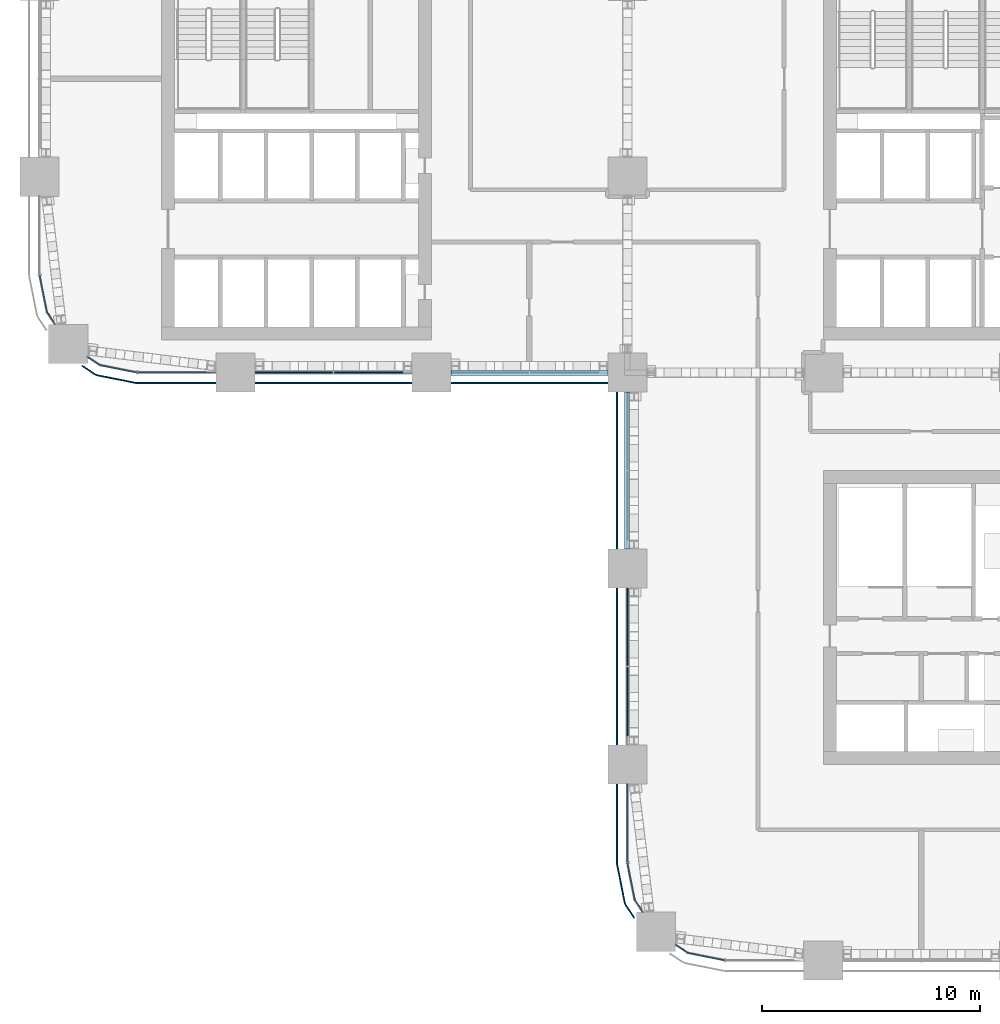
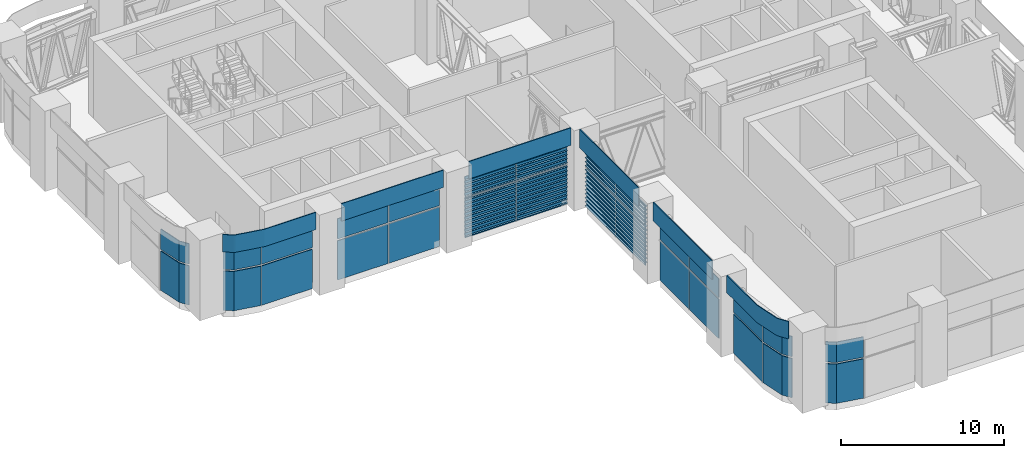
# One storey, part 10 of 24: 64 plates, 8 elements without a shape of their own.
"""IFC4 building model written with IfcOpenShell, lengths in metres."""

from ifc_helpers import new_model, si_unit, direction, frame, origin, origin_2d, place, context, subcontext, project, spatial, polyline, rectangle, outline, extrude, material, layer, layer_set, type_object, element, aggregate, save


model = new_model("IFC4")

# Units and contexts
model_context = context("Model", 3, precision=1e-05, world=origin(), true_north=direction((0.0, 1.0)))
body_context = subcontext(model_context, "Body", "Model", "MODEL_VIEW")
ifc_project = project(units=[si_unit("LENGTHUNIT", "METRE"), si_unit("AREAUNIT", "SQUARE_METRE"), si_unit("VOLUMEUNIT", "CUBIC_METRE"), si_unit("PLANEANGLEUNIT", "RADIAN"), si_unit("MASSUNIT", "GRAM", prefix="KILO")], contexts=[model_context])

# Site, building, storey
site_placement = place(None, origin())
site = spatial("IfcSite", under=ifc_project, at=site_placement, CompositionType="ELEMENT")
building_placement = place(site_placement, origin())
building = spatial("IfcBuilding", under=site, at=building_placement, Name="Tessera Arch", CompositionType="ELEMENT")
storey_placement = place(building_placement, frame((0.0, 0.0, 123.39990234375)))
storey = spatial("IfcBuildingStorey", under=building, at=storey_placement, Name="L29", CompositionType="ELEMENT", Elevation=123.39990234375)

# Curtain wall, plates
ifc_material_1 = material(Name="CW7 curtain wall")
curtain_wall_type = type_object("IfcCurtainWallType", Name="CW7 curtain wall", PredefinedType="NOTDEFINED", material=ifc_material_1)
curtain_wall_1_placement = place(storey_placement, origin())
curtain_wall_1 = element("IfcCurtainWall", 1, at=curtain_wall_1_placement, inside=storey, type_object=curtain_wall_type, Name="CW7 curtain wall W0.27/2 L29", PredefinedType="NOTDEFINED")
ifc_material_2 = material(Name="Pale anodised aluminium panel", Category="aluminium")
ifc_layer_1 = layer(ifc_material_2, 0.06005859375)
ifc_layer_set_1 = layer_set([ifc_layer_1], Name="CW7 plant wall panel")
plate_type_1 = type_object("IfcPlateType", Name="CW7 plant wall panel", PredefinedType="CURTAIN_PANEL", material=ifc_layer_set_1)
plate_1_placement = place(storey_placement, origin())
plate_1 = element("IfcPlate", 2, at=plate_1_placement, type_object=plate_type_1, Name="CW7 curved plant wall panel W0.27/2 2.1", PredefinedType="CURTAIN_PANEL", context=body_context, shape_type="SweptSolid", body=[
    extrude(outline(polyline([(0.370849609375, 29.78955078125), (0.03515625, 31.476318359375), (-0.023681640625, 31.46484375), (0.314208984375, 29.76611328125), (0.691650390625, 29.201416015625), (0.74169921875, 29.234619140625), (0.370849609375, 29.78955078125)])), origin(), (0.0, 0.0, 1.0), 2.940185546875),
])
plate_2_placement = place(storey_placement, frame((0.0, 0.0, 3.06005859375)))
plate_2 = element("IfcPlate", 3, at=plate_2_placement, type_object=plate_type_1, Name="CW7 curved plant wall panel W0.27/2 2.2", PredefinedType="CURTAIN_PANEL", context=body_context, shape_type="SweptSolid", body=[
    extrude(outline(polyline([(0.370849609375, 29.78955078125), (0.03515625, 31.476318359375), (-0.023681640625, 31.46484375), (0.314208984375, 29.76611328125), (0.691650390625, 29.201416015625), (0.74169921875, 29.234619140625), (0.370849609375, 29.78955078125)])), origin(), (0.0, 0.0, 1.0), 1.52001953125),
])
aggregate(curtain_wall_1, [plate_1, plate_2])

curtain_wall_2_placement = place(storey_placement, origin())
curtain_wall_2 = element("IfcCurtainWall", 4, at=curtain_wall_2_placement, inside=storey, type_object=curtain_wall_type, Name="CW7 curtain wall S27.0/0 L29", PredefinedType="NOTDEFINED")
plate_3_placement = place(storey_placement, frame((6.31494140625, 27.0, 0.000244140625), z_axis=(0.0, 0.0, 1.0), x_axis=(1.0, 0.0, 0.0)))
plate_3 = element("IfcPlate", 5, at=plate_3_placement, type_object=plate_type_1, Name="CW7 plant wall panel S27.0/0 1.1", PredefinedType="CURTAIN_PANEL", context=body_context, shape_type="SweptSolid", body=[
    extrude(rectangle(XDim=3.570068359375, YDim=0.06005859375, at=origin_2d()), origin(), (0.0, 0.0, 1.0), 2.93994140625),
])
plate_4_placement = place(storey_placement, origin())
plate_4 = element("IfcPlate", 6, at=plate_4_placement, type_object=plate_type_1, Name="CW7 curved plant wall panel S27.0/0 2.1", PredefinedType="CURTAIN_PANEL", context=body_context, shape_type="SweptSolid", body=[
    extrude(outline(polyline([(2.78955078125, 27.370849609375), (2.234619140625, 27.74169921875), (2.201416015625, 27.691650390625), (2.76611328125, 27.314208984375), (4.46484375, 26.976318359375), (4.476318359375, 27.03515625), (2.78955078125, 27.370849609375)])), origin(), (0.0, 0.0, 1.0), 2.940185546875),
])
plate_5_placement = place(storey_placement, frame((6.31494140625, 27.0, 3.06005859375), z_axis=(0.0, 0.0, 1.0), x_axis=(1.0, 0.0, 0.0)))
plate_5 = element("IfcPlate", 7, at=plate_5_placement, type_object=plate_type_1, Name="CW7 plant wall panel S27.0/0 1.2", PredefinedType="CURTAIN_PANEL", context=body_context, shape_type="SweptSolid", body=[
    extrude(rectangle(XDim=3.570068359375, YDim=0.06005859375, at=origin_2d()), origin(), (0.0, 0.0, 1.0), 1.52001953125),
])
plate_6_placement = place(storey_placement, frame((0.0, 0.0, 3.06005859375)))
plate_6 = element("IfcPlate", 8, at=plate_6_placement, type_object=plate_type_1, Name="CW7 curved plant wall panel S27.0/0 2.2", PredefinedType="CURTAIN_PANEL", context=body_context, shape_type="SweptSolid", body=[
    extrude(outline(polyline([(2.78955078125, 27.370849609375), (2.234619140625, 27.74169921875), (2.201416015625, 27.691650390625), (2.76611328125, 27.314208984375), (4.46484375, 26.976318359375), (4.476318359375, 27.03515625), (2.78955078125, 27.370849609375)])), origin(), (0.0, 0.0, 1.0), 1.52001953125),
])

curtain_wall_3_placement = place(storey_placement, origin())
curtain_wall_3 = element("IfcCurtainWall", 9, at=curtain_wall_3_placement, inside=storey, type_object=curtain_wall_type, Name="CW7 curtain wall S27.0/1 L29", PredefinedType="NOTDEFINED")
plate_7_placement = place(storey_placement, frame((11.68505859375, 27.0, 0.000244140625), z_axis=(0.0, 0.0, 1.0), x_axis=(1.0, 0.0, 0.0)))
plate_7 = element("IfcPlate", 10, at=plate_7_placement, type_object=plate_type_1, Name="CW7 plant wall panel S27.0/1 1.1.1", PredefinedType="CURTAIN_PANEL", context=body_context, shape_type="SweptSolid", body=[
    extrude(rectangle(XDim=3.570068359375, YDim=0.06005859375, at=origin_2d()), origin(), (0.0, 0.0, 1.0), 2.93994140625),
])
plate_8_placement = place(storey_placement, frame((11.68505859375, 27.0, 3.06005859375), z_axis=(0.0, 0.0, 1.0), x_axis=(1.0, 0.0, 0.0)))
plate_8 = element("IfcPlate", 11, at=plate_8_placement, type_object=plate_type_1, Name="CW7 plant wall panel S27.0/1 1.1.2", PredefinedType="CURTAIN_PANEL", context=body_context, shape_type="SweptSolid", body=[
    extrude(rectangle(XDim=3.570068359375, YDim=0.06005859375, at=origin_2d()), origin(), (0.0, 0.0, 1.0), 1.52001953125),
])
plate_9_placement = place(storey_placement, frame((15.31494140625, 27.0, 0.000244140625), z_axis=(0.0, 0.0, 1.0), x_axis=(1.0, 0.0, 0.0)))
plate_9 = element("IfcPlate", 12, at=plate_9_placement, type_object=plate_type_1, Name="CW7 plant wall panel S27.0/1 1.2.1", PredefinedType="CURTAIN_PANEL", context=body_context, shape_type="SweptSolid", body=[
    extrude(rectangle(XDim=3.570068359375, YDim=0.06005859375, at=origin_2d()), origin(), (0.0, 0.0, 1.0), 2.93994140625),
])
plate_10_placement = place(storey_placement, frame((15.31494140625, 27.0, 3.06005859375), z_axis=(0.0, 0.0, 1.0), x_axis=(1.0, 0.0, 0.0)))
plate_10 = element("IfcPlate", 13, at=plate_10_placement, type_object=plate_type_1, Name="CW7 plant wall panel S27.0/1 1.2.2", PredefinedType="CURTAIN_PANEL", context=body_context, shape_type="SweptSolid", body=[
    extrude(rectangle(XDim=3.570068359375, YDim=0.06005859375, at=origin_2d()), origin(), (0.0, 0.0, 1.0), 1.52001953125),
])

curtain_wall_4_placement = place(storey_placement, origin())
curtain_wall_4 = element("IfcCurtainWall", 14, at=curtain_wall_4_placement, inside=storey, type_object=curtain_wall_type, Name="CW7 curtain wall S27.0/2 L29", PredefinedType="NOTDEFINED")
plate_11_placement = place(storey_placement, frame((20.68505859375, 27.0, 0.000244140625), z_axis=(0.0, 0.0, 1.0), x_axis=(1.0, 0.0, 0.0)))
plate_11 = element("IfcPlate", 15, at=plate_11_placement, type_object=plate_type_1, Name="CW7 plant wall panel S27.0/2 1.1.1", PredefinedType="CURTAIN_PANEL", context=body_context, shape_type="SweptSolid", body=[
    extrude(rectangle(XDim=3.570068359375, YDim=0.06005859375, at=origin_2d()), origin(), (0.0, 0.0, 1.0), 2.93994140625),
])
plate_12_placement = place(storey_placement, frame((20.68505859375, 27.0, 3.06005859375), z_axis=(0.0, 0.0, 1.0), x_axis=(1.0, 0.0, 0.0)))
plate_12 = element("IfcPlate", 16, at=plate_12_placement, type_object=plate_type_1, Name="CW7 plant wall panel S27.0/2 1.1.2", PredefinedType="CURTAIN_PANEL", context=body_context, shape_type="SweptSolid", body=[
    extrude(rectangle(XDim=3.570068359375, YDim=0.06005859375, at=origin_2d()), origin(), (0.0, 0.0, 1.0), 1.52001953125),
])
plate_13_placement = place(storey_placement, frame((24.31494140625, 27.0, 0.000244140625), z_axis=(0.0, 0.0, 1.0), x_axis=(1.0, 0.0, 0.0)))
plate_13 = element("IfcPlate", 17, at=plate_13_placement, type_object=plate_type_1, Name="CW7 plant wall panel S27.0/2 1.2.1", PredefinedType="CURTAIN_PANEL", context=body_context, shape_type="SweptSolid", body=[
    extrude(rectangle(XDim=3.570068359375, YDim=0.06005859375, at=origin_2d()), origin(), (0.0, 0.0, 1.0), 2.93994140625),
])
plate_14_placement = place(storey_placement, frame((24.31494140625, 27.0, 3.06005859375), z_axis=(0.0, 0.0, 1.0), x_axis=(1.0, 0.0, 0.0)))
plate_14 = element("IfcPlate", 18, at=plate_14_placement, type_object=plate_type_1, Name="CW7 plant wall panel S27.0/2 1.2.2", PredefinedType="CURTAIN_PANEL", context=body_context, shape_type="SweptSolid", body=[
    extrude(rectangle(XDim=3.570068359375, YDim=0.06005859375, at=origin_2d()), origin(), (0.0, 0.0, 1.0), 1.52001953125),
])

curtain_wall_5_placement = place(storey_placement, origin())
curtain_wall_5 = element("IfcCurtainWall", 19, at=curtain_wall_5_placement, inside=storey, type_object=curtain_wall_type, Name="CW7 curtain wall W27.0/0 L29", PredefinedType="NOTDEFINED")
plate_15_placement = place(storey_placement, frame((27.0, 24.31494140625, 0.000244140625), z_axis=(0.0, 0.0, 1.0), x_axis=(0.0, -1.0, 0.0)))
plate_15 = element("IfcPlate", 20, at=plate_15_placement, type_object=plate_type_1, Name="CW7 plant wall panel W27.0/0 1.1.1", PredefinedType="CURTAIN_PANEL", context=body_context, shape_type="SweptSolid", body=[
    extrude(rectangle(XDim=3.570068359375, YDim=0.06005859375, at=origin_2d()), origin(), (0.0, 0.0, 1.0), 2.93994140625),
])
plate_16_placement = place(storey_placement, frame((27.0, 24.31494140625, 3.06005859375), z_axis=(0.0, 0.0, 1.0), x_axis=(0.0, -1.0, 0.0)))
plate_16 = element("IfcPlate", 21, at=plate_16_placement, type_object=plate_type_1, Name="CW7 plant wall panel W27.0/0 1.1.2", PredefinedType="CURTAIN_PANEL", context=body_context, shape_type="SweptSolid", body=[
    extrude(rectangle(XDim=3.570068359375, YDim=0.06005859375, at=origin_2d()), origin(), (0.0, 0.0, 1.0), 1.409912109375),
])
plate_17_placement = place(storey_placement, frame((27.0, 20.68505859375, 0.000244140625), z_axis=(0.0, 0.0, 1.0), x_axis=(0.0, -1.0, 0.0)))
plate_17 = element("IfcPlate", 22, at=plate_17_placement, type_object=plate_type_1, Name="CW7 plant wall panel W27.0/0 1.2.1", PredefinedType="CURTAIN_PANEL", context=body_context, shape_type="SweptSolid", body=[
    extrude(rectangle(XDim=3.570068359375, YDim=0.06005859375, at=origin_2d()), origin(), (0.0, 0.0, 1.0), 2.93994140625),
])
plate_18_placement = place(storey_placement, frame((27.0, 20.68505859375, 3.06005859375), z_axis=(0.0, 0.0, 1.0), x_axis=(0.0, -1.0, 0.0)))
plate_18 = element("IfcPlate", 23, at=plate_18_placement, type_object=plate_type_1, Name="CW7 plant wall panel W27.0/0 1.2.2", PredefinedType="CURTAIN_PANEL", context=body_context, shape_type="SweptSolid", body=[
    extrude(rectangle(XDim=3.570068359375, YDim=0.06005859375, at=origin_2d()), origin(), (0.0, 0.0, 1.0), 1.409912109375),
])

curtain_wall_6_placement = place(storey_placement, origin())
curtain_wall_6 = element("IfcCurtainWall", 24, at=curtain_wall_6_placement, inside=storey, type_object=curtain_wall_type, Name="CW7 curtain wall W27.0/1 L29", PredefinedType="NOTDEFINED")
plate_19_placement = place(storey_placement, frame((27.0, 15.31494140625, 0.000244140625), z_axis=(0.0, 0.0, 1.0), x_axis=(0.0, -1.0, 0.0)))
plate_19 = element("IfcPlate", 25, at=plate_19_placement, type_object=plate_type_1, Name="CW7 plant wall panel W27.0/1 1.1.1", PredefinedType="CURTAIN_PANEL", context=body_context, shape_type="SweptSolid", body=[
    extrude(rectangle(XDim=3.570068359375, YDim=0.06005859375, at=origin_2d()), origin(), (0.0, 0.0, 1.0), 2.93994140625),
])
plate_20_placement = place(storey_placement, frame((27.0, 15.31494140625, 3.06005859375), z_axis=(0.0, 0.0, 1.0), x_axis=(0.0, -1.0, 0.0)))
plate_20 = element("IfcPlate", 26, at=plate_20_placement, type_object=plate_type_1, Name="CW7 plant wall panel W27.0/1 1.1.2", PredefinedType="CURTAIN_PANEL", context=body_context, shape_type="SweptSolid", body=[
    extrude(rectangle(XDim=3.570068359375, YDim=0.06005859375, at=origin_2d()), origin(), (0.0, 0.0, 1.0), 1.409912109375),
])
plate_21_placement = place(storey_placement, frame((27.0, 11.68505859375, 0.000244140625), z_axis=(0.0, 0.0, 1.0), x_axis=(0.0, -1.0, 0.0)))
plate_21 = element("IfcPlate", 27, at=plate_21_placement, type_object=plate_type_1, Name="CW7 plant wall panel W27.0/1 1.2.1", PredefinedType="CURTAIN_PANEL", context=body_context, shape_type="SweptSolid", body=[
    extrude(rectangle(XDim=3.570068359375, YDim=0.06005859375, at=origin_2d()), origin(), (0.0, 0.0, 1.0), 2.93994140625),
])
plate_22_placement = place(storey_placement, frame((27.0, 11.68505859375, 3.06005859375), z_axis=(0.0, 0.0, 1.0), x_axis=(0.0, -1.0, 0.0)))
plate_22 = element("IfcPlate", 28, at=plate_22_placement, type_object=plate_type_1, Name="CW7 plant wall panel W27.0/1 1.2.2", PredefinedType="CURTAIN_PANEL", context=body_context, shape_type="SweptSolid", body=[
    extrude(rectangle(XDim=3.570068359375, YDim=0.06005859375, at=origin_2d()), origin(), (0.0, 0.0, 1.0), 1.409912109375),
])

curtain_wall_7_placement = place(storey_placement, origin())
curtain_wall_7 = element("IfcCurtainWall", 29, at=curtain_wall_7_placement, inside=storey, type_object=curtain_wall_type, Name="CW7 curtain wall W27.0/2 L29", PredefinedType="NOTDEFINED")
plate_23_placement = place(storey_placement, frame((27.0, 6.31494140625, 0.000244140625), z_axis=(0.0, 0.0, 1.0), x_axis=(0.0, -1.0, 0.0)))
plate_23 = element("IfcPlate", 30, at=plate_23_placement, type_object=plate_type_1, Name="CW7 plant wall panel W27.0/2 1.1", PredefinedType="CURTAIN_PANEL", context=body_context, shape_type="SweptSolid", body=[
    extrude(rectangle(XDim=3.570068359375, YDim=0.06005859375, at=origin_2d()), origin(), (0.0, 0.0, 1.0), 2.93994140625),
])
plate_24_placement = place(storey_placement, origin())
plate_24 = element("IfcPlate", 31, at=plate_24_placement, type_object=plate_type_1, Name="CW7 curved plant wall panel W27.0/2 2.1", PredefinedType="CURTAIN_PANEL", context=body_context, shape_type="SweptSolid", body=[
    extrude(outline(polyline([(27.370849609375, 2.78955078125), (27.03515625, 4.476318359375), (26.976318359375, 4.46484375), (27.314208984375, 2.76611328125), (27.691650390625, 2.201416015625), (27.74169921875, 2.234619140625), (27.370849609375, 2.78955078125)])), origin(), (0.0, 0.0, 1.0), 2.940185546875),
])
plate_25_placement = place(storey_placement, frame((27.0, 6.31494140625, 3.06005859375), z_axis=(0.0, 0.0, 1.0), x_axis=(0.0, -1.0, 0.0)))
plate_25 = element("IfcPlate", 32, at=plate_25_placement, type_object=plate_type_1, Name="CW7 plant wall panel W27.0/2 1.2", PredefinedType="CURTAIN_PANEL", context=body_context, shape_type="SweptSolid", body=[
    extrude(rectangle(XDim=3.570068359375, YDim=0.06005859375, at=origin_2d()), origin(), (0.0, 0.0, 1.0), 1.52001953125),
])
plate_26_placement = place(storey_placement, frame((0.0, 0.0, 3.06005859375)))
plate_26 = element("IfcPlate", 33, at=plate_26_placement, type_object=plate_type_1, Name="CW7 curved plant wall panel W27.0/2 2.2", PredefinedType="CURTAIN_PANEL", context=body_context, shape_type="SweptSolid", body=[
    extrude(outline(polyline([(27.370849609375, 2.78955078125), (27.03515625, 4.476318359375), (26.976318359375, 4.46484375), (27.314208984375, 2.76611328125), (27.691650390625, 2.201416015625), (27.74169921875, 2.234619140625), (27.370849609375, 2.78955078125)])), origin(), (0.0, 0.0, 1.0), 1.52001953125),
])

curtain_wall_8_placement = place(storey_placement, origin())
curtain_wall_8 = element("IfcCurtainWall", 34, at=curtain_wall_8_placement, inside=storey, type_object=curtain_wall_type, Name="CW7 curtain wall S0.27/0 L29", PredefinedType="NOTDEFINED")
plate_27_placement = place(storey_placement, origin())
plate_27 = element("IfcPlate", 35, at=plate_27_placement, type_object=plate_type_1, Name="CW7 curved plant wall panel S0.27/0 2.1", PredefinedType="CURTAIN_PANEL", context=body_context, shape_type="SweptSolid", body=[
    extrude(outline(polyline([(29.78955078125, 0.370849609375), (29.234619140625, 0.74169921875), (29.201416015625, 0.691650390625), (29.76611328125, 0.314208984375), (31.46484375, -0.023681640625), (31.476318359375, 0.03515625), (29.78955078125, 0.370849609375)])), origin(), (0.0, 0.0, 1.0), 2.940185546875),
])
plate_28_placement = place(storey_placement, frame((0.0, 0.0, 3.06005859375)))
plate_28 = element("IfcPlate", 36, at=plate_28_placement, type_object=plate_type_1, Name="CW7 curved plant wall panel S0.27/0 2.2", PredefinedType="CURTAIN_PANEL", context=body_context, shape_type="SweptSolid", body=[
    extrude(outline(polyline([(29.78955078125, 0.370849609375), (29.234619140625, 0.74169921875), (29.201416015625, 0.691650390625), (29.76611328125, 0.314208984375), (31.46484375, -0.023681640625), (31.476318359375, 0.03515625), (29.78955078125, 0.370849609375)])), origin(), (0.0, 0.0, 1.0), 1.52001953125),
])
aggregate(curtain_wall_8, [plate_27, plate_28])

# Plate
ifc_material_3 = material(Name="Pale anodised aluminium panel", Category="aluminium")
ifc_layer_2 = layer(ifc_material_3, 0.06005859375)
ifc_layer_set_2 = layer_set([ifc_layer_2], Name="CW7 spandrel panel")
plate_type_2 = type_object("IfcPlateType", Name="CW7 spandrel panel", PredefinedType="CURTAIN_PANEL", material=ifc_layer_set_2)
plate_29_placement = place(storey_placement, frame((0.0, 0.0, 4.7001953125)))
plate_29 = element("IfcPlate", 37, at=plate_29_placement, type_object=plate_type_2, Name="CW7 spandrel panel S27.0/0", PredefinedType="CURTAIN_PANEL", context=body_context, shape_type="SweptSolid", body=[
    extrude(outline(polyline([(2.52734375, 26.96875), (1.968017578125, 27.342529296875), (1.9345703125, 27.292724609375), (2.4951171875, 26.91796875), (2.537353515625, 26.892822265625), (2.582763671875, 26.871337890625), (2.6298828125, 26.8544921875), (2.677734375, 26.842529296875), (4.401123046875, 26.499755859375), (4.449951171875, 26.492431640625), (4.499267578125, 26.489990234375), (8.10009765625, 26.489990234375), (8.10009765625, 26.550048828125), (4.500732421875, 26.550048828125), (4.455810546875, 26.55224609375), (4.411376953125, 26.558837890625), (2.69091796875, 26.90087890625), (2.647216796875, 26.911865234375), (2.605712890625, 26.9267578125), (2.565673828125, 26.94580078125), (2.52734375, 26.96875)])), origin(), (0.0, 0.0, 1.0), 1.2998046875),
])

aggregate(curtain_wall_2, [plate_3, plate_4, plate_5, plate_6, plate_29])

plate_30_placement = place(storey_placement, frame((13.5, 26.52001953125, 4.7001953125), z_axis=(0.0, 0.0, 1.0), x_axis=(1.0, 0.0, 0.0)))
plate_30 = element("IfcPlate", 38, at=plate_30_placement, type_object=plate_type_2, Name="CW7 spandrel panel S27.0/1", PredefinedType="CURTAIN_PANEL", context=body_context, shape_type="SweptSolid", body=[
    extrude(rectangle(XDim=7.199951171875, YDim=0.06005859375, at=origin_2d()), origin(), (0.0, 0.0, 1.0), 1.300048828125),
])

aggregate(curtain_wall_3, [plate_7, plate_8, plate_9, plate_10, plate_30])

plate_31_placement = place(storey_placement, frame((22.5, 26.52001953125, 4.7001953125), z_axis=(0.0, 0.0, 1.0), x_axis=(1.0, 0.0, 0.0)))
plate_31 = element("IfcPlate", 39, at=plate_31_placement, type_object=plate_type_2, Name="CW7 spandrel panel S27.0/2", PredefinedType="CURTAIN_PANEL", context=body_context, shape_type="SweptSolid", body=[
    extrude(rectangle(XDim=7.199951171875, YDim=0.06005859375, at=origin_2d()), origin(), (0.0, 0.0, 1.0), 1.300048828125),
])

aggregate(curtain_wall_4, [plate_11, plate_12, plate_13, plate_14, plate_31])

plate_32_placement = place(storey_placement, frame((26.52001953125, 22.5, 4.59033203125), z_axis=(0.0, 0.0, 1.0), x_axis=(0.0, -1.0, 0.0)))
plate_32 = element("IfcPlate", 40, at=plate_32_placement, type_object=plate_type_2, Name="CW7 spandrel panel W27.0/0", PredefinedType="CURTAIN_PANEL", context=body_context, shape_type="SweptSolid", body=[
    extrude(rectangle(XDim=7.199951171875, YDim=0.06005859375, at=origin_2d()), origin(), (0.0, 0.0, 1.0), 1.409912109375),
])

aggregate(curtain_wall_5, [plate_15, plate_16, plate_17, plate_18, plate_32])

plate_33_placement = place(storey_placement, frame((26.52001953125, 13.5, 4.59033203125), z_axis=(0.0, 0.0, 1.0), x_axis=(0.0, -1.0, 0.0)))
plate_33 = element("IfcPlate", 41, at=plate_33_placement, type_object=plate_type_2, Name="CW7 spandrel panel W27.0/1", PredefinedType="CURTAIN_PANEL", context=body_context, shape_type="SweptSolid", body=[
    extrude(rectangle(XDim=7.199951171875, YDim=0.06005859375, at=origin_2d()), origin(), (0.0, 0.0, 1.0), 1.409912109375),
])

aggregate(curtain_wall_6, [plate_19, plate_20, plate_21, plate_22, plate_33])

plate_34_placement = place(storey_placement, frame((0.0, 0.0, 4.7001953125)))
plate_34 = element("IfcPlate", 42, at=plate_34_placement, type_object=plate_type_2, Name="CW7 spandrel panel W27.0/2", PredefinedType="CURTAIN_PANEL", context=body_context, shape_type="SweptSolid", body=[
    extrude(outline(polyline([(26.550048828125, 4.500732421875), (26.550048828125, 8.10009765625), (26.489990234375, 8.10009765625), (26.489990234375, 4.499267578125), (26.492431640625, 4.449951171875), (26.499755859375, 4.401123046875), (26.842529296875, 2.677734375), (26.8544921875, 2.6298828125), (26.871337890625, 2.582763671875), (26.892822265625, 2.537353515625), (26.91796875, 2.4951171875), (27.292724609375, 1.9345703125), (27.342529296875, 1.968017578125), (26.96875, 2.52734375), (26.94580078125, 2.565673828125), (26.9267578125, 2.605712890625), (26.911865234375, 2.647216796875), (26.90087890625, 2.69091796875), (26.558837890625, 4.411376953125), (26.55224609375, 4.455810546875), (26.550048828125, 4.500732421875)])), origin(), (0.0, 0.0, 1.0), 1.2998046875),
])

aggregate(curtain_wall_7, [plate_23, plate_24, plate_25, plate_26, plate_34])

# Plates
ifc_material_4 = material(Name="Aluminium louvre pale metal anodised", Category="aluminium")
ifc_layer_3 = layer(ifc_material_4, 0.02001953125)
ifc_layer_set_3 = layer_set([ifc_layer_3], Name="Plant louvre blade")
plate_type_3 = type_object("IfcPlateType", Name="Plant louvre blade", PredefinedType="USERDEFINED", material=ifc_layer_set_3)
plate_35_placement = place(storey_placement, frame((18.89990234375, 26.875, 0.150146484375), z_axis=(0.0, -0.269874067237, 0.962895626656), x_axis=(1.0, 0.0, 0.0)))
element("IfcPlate", 43, at=plate_35_placement, inside=storey, type_object=plate_type_3, Name="Louvre blade S27.0/2 1", ObjectType="LOUVER", PredefinedType="USERDEFINED", context=body_context, shape_type="SweptSolid", body=[
    extrude(outline(polyline([(0.0, 0.0), (7.2001953125, 0.0), (7.2001953125, 0.25963353979311715), (0.0, 0.25963353979311715), (0.0, 0.0)])), origin(), (0.0, 0.0, -1.0), 0.02001953125),
])
plate_36_placement = place(storey_placement, frame((18.89990234375, 26.875, 0.4501953125), z_axis=(0.0, -0.269001893813, 0.963139647779), x_axis=(1.0, 0.0, 0.0)))
element("IfcPlate", 44, at=plate_36_placement, inside=storey, type_object=plate_type_3, Name="Louvre blade S27.0/2 2", ObjectType="LOUVER", PredefinedType="USERDEFINED", context=body_context, shape_type="SweptSolid", body=[
    extrude(outline(polyline([(0.0, 0.0), (7.2001953125, 0.0), (7.2001953125, 0.25956775902266416), (0.0, 0.25956775902266416), (0.0, 0.0)])), origin(), (0.0, 0.0, -1.0), 0.02001953125),
])
for number, where, z_axis, x_axis, name in (
    (45, (18.89990234375, 26.875, 0.75), (0.0, -0.269874067237, 0.962895626656), (1.0, 0.0, 0.0), "Louvre blade S27.0/2 3"),
    (46, (18.89990234375, 26.875, 1.050048828125), (0.0, -0.269874067237, 0.962895626656), (1.0, 0.0, 0.0), "Louvre blade S27.0/2 4"),
    (47, (18.89990234375, 26.875, 1.35009765625), (0.0, -0.269874067237, 0.962895626656), (1.0, 0.0, 0.0), "Louvre blade S27.0/2 5"),
    (48, (18.89990234375, 26.875, 1.650146484375), (0.0, -0.269874067237, 0.962895626656), (1.0, 0.0, 0.0), "Louvre blade S27.0/2 6"),
):
    element("IfcPlate", number, at=place(storey_placement, frame(where, z_axis=z_axis, x_axis=x_axis)), inside=storey, type_object=plate_type_3, Name=name, ObjectType="LOUVER", PredefinedType="USERDEFINED", context=body_context, shape_type="SweptSolid", body=[
        extrude(outline(polyline([(0.0, 0.0), (7.2001953125, 0.0), (7.2001953125, 0.25963353979311715), (0.0, 0.25963353979311715), (0.0, 0.0)])), origin(), (0.0, 0.0, -1.0), 0.02001953125),
    ])
plate_37_placement = place(storey_placement, frame((18.89990234375, 26.875, 1.9501953125), z_axis=(0.0, -0.269001893813, 0.963139647779), x_axis=(1.0, 0.0, 0.0)))
element("IfcPlate", 49, at=plate_37_placement, inside=storey, type_object=plate_type_3, Name="Louvre blade S27.0/2 7", ObjectType="LOUVER", PredefinedType="USERDEFINED", context=body_context, shape_type="SweptSolid", body=[
    extrude(outline(polyline([(0.0, 0.0), (7.2001953125, 0.0), (7.2001953125, 0.25956775902266416), (0.0, 0.25956775902266416), (0.0, 0.0)])), origin(), (0.0, 0.0, -1.0), 0.02001953125),
])
for number, where, z_axis, x_axis, name in (
    (50, (18.89990234375, 26.875, 2.25), (0.0, -0.269874067237, 0.962895626656), (1.0, 0.0, 0.0), "Louvre blade S27.0/2 8"),
    (51, (18.89990234375, 26.875, 2.550048828125), (0.0, -0.269874067237, 0.962895626656), (1.0, 0.0, 0.0), "Louvre blade S27.0/2 9"),
    (52, (18.89990234375, 26.875, 2.85009765625), (0.0, -0.269874067237, 0.962895626656), (1.0, 0.0, 0.0), "Louvre blade S27.0/2 10"),
    (53, (18.89990234375, 26.875, 3.150146484375), (0.0, -0.269874067237, 0.962895626656), (1.0, 0.0, 0.0), "Louvre blade S27.0/2 11"),
):
    element("IfcPlate", number, at=place(storey_placement, frame(where, z_axis=z_axis, x_axis=x_axis)), inside=storey, type_object=plate_type_3, Name=name, ObjectType="LOUVER", PredefinedType="USERDEFINED", context=body_context, shape_type="SweptSolid", body=[
        extrude(outline(polyline([(0.0, 0.0), (7.2001953125, 0.0), (7.2001953125, 0.25963353979311715), (0.0, 0.25963353979311715), (0.0, 0.0)])), origin(), (0.0, 0.0, -1.0), 0.02001953125),
    ])
plate_38_placement = place(storey_placement, frame((18.89990234375, 26.875, 3.4501953125), z_axis=(0.0, -0.269001893813, 0.963139647779), x_axis=(1.0, 0.0, 0.0)))
element("IfcPlate", 54, at=plate_38_placement, inside=storey, type_object=plate_type_3, Name="Louvre blade S27.0/2 12", ObjectType="LOUVER", PredefinedType="USERDEFINED", context=body_context, shape_type="SweptSolid", body=[
    extrude(outline(polyline([(0.0, 0.0), (7.2001953125, 0.0), (7.2001953125, 0.25956775902266416), (0.0, 0.25956775902266416), (0.0, 0.0)])), origin(), (0.0, 0.0, -1.0), 0.02001953125),
])
for number, where, z_axis, x_axis, name in (
    (55, (18.89990234375, 26.875, 3.75), (0.0, -0.269874067237, 0.962895626656), (1.0, 0.0, 0.0), "Louvre blade S27.0/2 13"),
    (56, (18.89990234375, 26.875, 4.050048828125), (0.0, -0.269874067237, 0.962895626656), (1.0, 0.0, 0.0), "Louvre blade S27.0/2 14"),
    (57, (18.89990234375, 26.875, 4.35009765625), (0.0, -0.269874067237, 0.962895626656), (1.0, 0.0, 0.0), "Louvre blade S27.0/2 15"),
    (58, (26.875, 26.10009765625, 0.150146484375), (-0.269874067237, 0.0, 0.962895626656), (0.0, -1.0, 0.0), "Louvre blade W27.0/0 1"),
):
    element("IfcPlate", number, at=place(storey_placement, frame(where, z_axis=z_axis, x_axis=x_axis)), inside=storey, type_object=plate_type_3, Name=name, ObjectType="LOUVER", PredefinedType="USERDEFINED", context=body_context, shape_type="SweptSolid", body=[
        extrude(outline(polyline([(0.0, 0.0), (7.2001953125, 0.0), (7.2001953125, 0.25963353979311715), (0.0, 0.25963353979311715), (0.0, 0.0)])), origin(), (0.0, 0.0, -1.0), 0.02001953125),
    ])
plate_39_placement = place(storey_placement, frame((26.875, 26.10009765625, 0.4501953125), z_axis=(-0.269001893813, 0.0, 0.963139647779), x_axis=(0.0, -1.0, 0.0)))
element("IfcPlate", 59, at=plate_39_placement, inside=storey, type_object=plate_type_3, Name="Louvre blade W27.0/0 2", ObjectType="LOUVER", PredefinedType="USERDEFINED", context=body_context, shape_type="SweptSolid", body=[
    extrude(outline(polyline([(0.0, 0.0), (7.2001953125, 0.0), (7.2001953125, 0.25956775902266416), (0.0, 0.25956775902266416), (0.0, 0.0)])), origin(), (0.0, 0.0, -1.0), 0.02001953125),
])
for number, where, z_axis, x_axis, name in (
    (60, (26.875, 26.10009765625, 0.75), (-0.269874067237, 0.0, 0.962895626656), (0.0, -1.0, 0.0), "Louvre blade W27.0/0 3"),
    (61, (26.875, 26.10009765625, 1.050048828125), (-0.269874067237, 0.0, 0.962895626656), (0.0, -1.0, 0.0), "Louvre blade W27.0/0 4"),
    (62, (26.875, 26.10009765625, 1.35009765625), (-0.269874067237, 0.0, 0.962895626656), (0.0, -1.0, 0.0), "Louvre blade W27.0/0 5"),
    (63, (26.875, 26.10009765625, 1.650146484375), (-0.269874067237, 0.0, 0.962895626656), (0.0, -1.0, 0.0), "Louvre blade W27.0/0 6"),
):
    element("IfcPlate", number, at=place(storey_placement, frame(where, z_axis=z_axis, x_axis=x_axis)), inside=storey, type_object=plate_type_3, Name=name, ObjectType="LOUVER", PredefinedType="USERDEFINED", context=body_context, shape_type="SweptSolid", body=[
        extrude(outline(polyline([(0.0, 0.0), (7.2001953125, 0.0), (7.2001953125, 0.25963353979311715), (0.0, 0.25963353979311715), (0.0, 0.0)])), origin(), (0.0, 0.0, -1.0), 0.02001953125),
    ])
plate_40_placement = place(storey_placement, frame((26.875, 26.10009765625, 1.9501953125), z_axis=(-0.269001893813, 0.0, 0.963139647779), x_axis=(0.0, -1.0, 0.0)))
element("IfcPlate", 64, at=plate_40_placement, inside=storey, type_object=plate_type_3, Name="Louvre blade W27.0/0 7", ObjectType="LOUVER", PredefinedType="USERDEFINED", context=body_context, shape_type="SweptSolid", body=[
    extrude(outline(polyline([(0.0, 0.0), (7.2001953125, 0.0), (7.2001953125, 0.25956775902266416), (0.0, 0.25956775902266416), (0.0, 0.0)])), origin(), (0.0, 0.0, -1.0), 0.02001953125),
])
for number, where, z_axis, x_axis, name in (
    (65, (26.875, 26.10009765625, 2.25), (-0.269874067237, 0.0, 0.962895626656), (0.0, -1.0, 0.0), "Louvre blade W27.0/0 8"),
    (66, (26.875, 26.10009765625, 2.550048828125), (-0.269874067237, 0.0, 0.962895626656), (0.0, -1.0, 0.0), "Louvre blade W27.0/0 9"),
    (67, (26.875, 26.10009765625, 2.85009765625), (-0.269874067237, 0.0, 0.962895626656), (0.0, -1.0, 0.0), "Louvre blade W27.0/0 10"),
    (68, (26.875, 26.10009765625, 3.150146484375), (-0.269874067237, 0.0, 0.962895626656), (0.0, -1.0, 0.0), "Louvre blade W27.0/0 11"),
):
    element("IfcPlate", number, at=place(storey_placement, frame(where, z_axis=z_axis, x_axis=x_axis)), inside=storey, type_object=plate_type_3, Name=name, ObjectType="LOUVER", PredefinedType="USERDEFINED", context=body_context, shape_type="SweptSolid", body=[
        extrude(outline(polyline([(0.0, 0.0), (7.2001953125, 0.0), (7.2001953125, 0.25963353979311715), (0.0, 0.25963353979311715), (0.0, 0.0)])), origin(), (0.0, 0.0, -1.0), 0.02001953125),
    ])
plate_41_placement = place(storey_placement, frame((26.875, 26.10009765625, 3.4501953125), z_axis=(-0.269001893813, 0.0, 0.963139647779), x_axis=(0.0, -1.0, 0.0)))
element("IfcPlate", 69, at=plate_41_placement, inside=storey, type_object=plate_type_3, Name="Louvre blade W27.0/0 12", ObjectType="LOUVER", PredefinedType="USERDEFINED", context=body_context, shape_type="SweptSolid", body=[
    extrude(outline(polyline([(0.0, 0.0), (7.2001953125, 0.0), (7.2001953125, 0.25956775902266416), (0.0, 0.25956775902266416), (0.0, 0.0)])), origin(), (0.0, 0.0, -1.0), 0.02001953125),
])
for number, where, z_axis, x_axis, name in (
    (70, (26.875, 26.10009765625, 3.75), (-0.269874067237, 0.0, 0.962895626656), (0.0, -1.0, 0.0), "Louvre blade W27.0/0 13"),
    (71, (26.875, 26.10009765625, 4.050048828125), (-0.269874067237, 0.0, 0.962895626656), (0.0, -1.0, 0.0), "Louvre blade W27.0/0 14"),
    (72, (26.875, 26.10009765625, 4.35009765625), (-0.269874067237, 0.0, 0.962895626656), (0.0, -1.0, 0.0), "Louvre blade W27.0/0 15"),
):
    element("IfcPlate", number, at=place(storey_placement, frame(where, z_axis=z_axis, x_axis=x_axis)), inside=storey, type_object=plate_type_3, Name=name, ObjectType="LOUVER", PredefinedType="USERDEFINED", context=body_context, shape_type="SweptSolid", body=[
        extrude(outline(polyline([(0.0, 0.0), (7.2001953125, 0.0), (7.2001953125, 0.25963353979311715), (0.0, 0.25963353979311715), (0.0, 0.0)])), origin(), (0.0, 0.0, -1.0), 0.02001953125),
    ])

save(model, "model.ifc")
